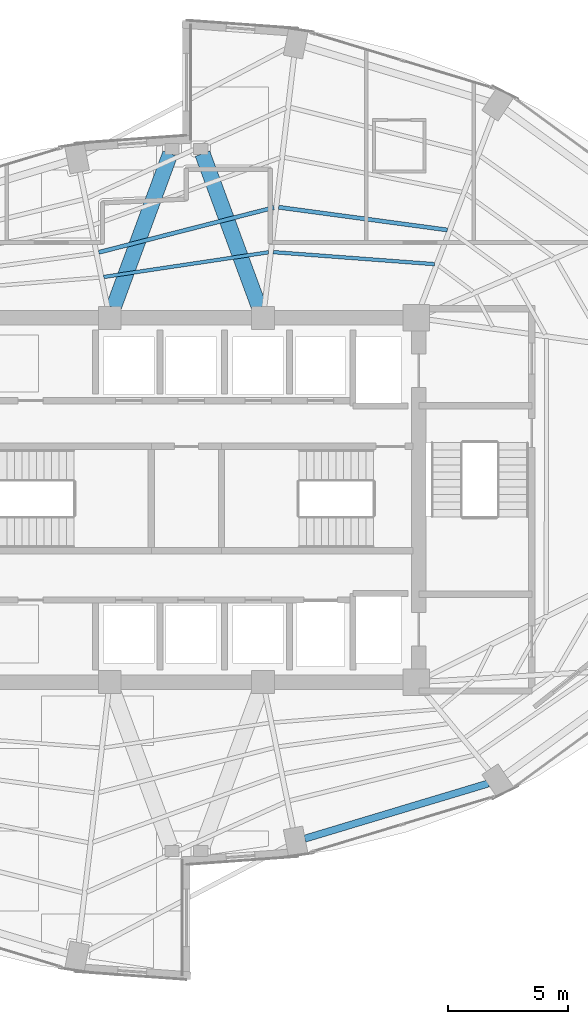
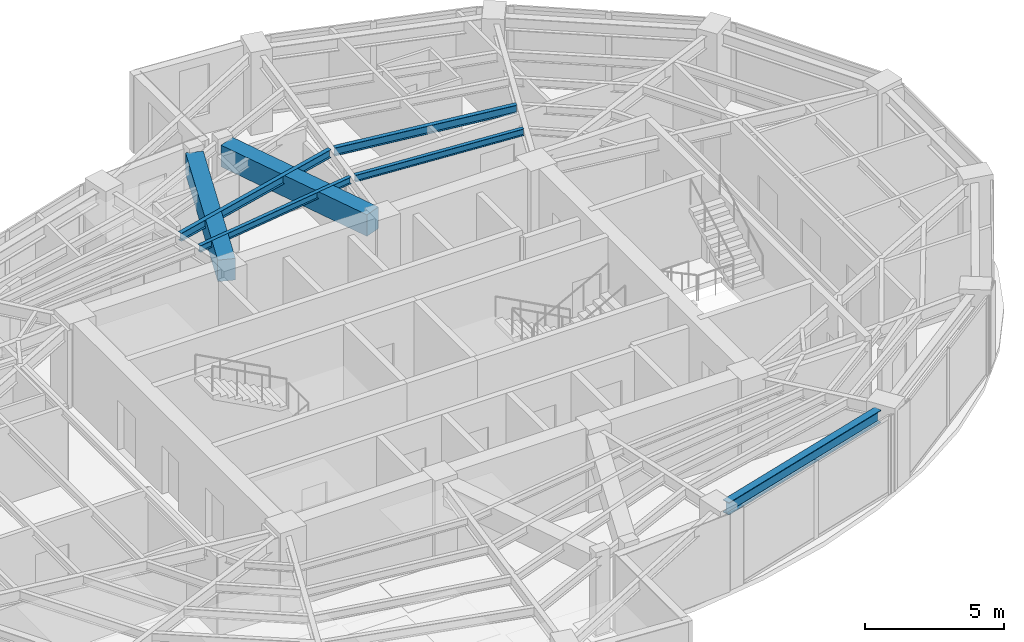
# One storey, part 8 of 20: 7 beams.
"""IFC4 building model written with IfcOpenShell, lengths in metres."""

from ifc_helpers import new_model, si_unit, direction, frame, origin, origin_2d, place, context, subcontext, project, spatial, rectangle, i_section, extrude, material, material_profile, profile_set, type_object, element, save


model = new_model("IFC4")

# Units and contexts
model_context = context("Model", 3, precision=1e-05, world=origin(), true_north=direction((0.0, 1.0)))
body_context = subcontext(model_context, "Body", "Model", "MODEL_VIEW")
ifc_project = project(units=[si_unit("LENGTHUNIT", "METRE"), si_unit("AREAUNIT", "SQUARE_METRE"), si_unit("VOLUMEUNIT", "CUBIC_METRE"), si_unit("PLANEANGLEUNIT", "RADIAN"), si_unit("MASSUNIT", "GRAM", prefix="KILO")], contexts=[model_context])

# Site, building, storey
site_placement = place(None, origin())
site = spatial("IfcSite", under=ifc_project, at=site_placement, CompositionType="ELEMENT")
building_placement = place(site_placement, origin())
building = spatial("IfcBuilding", under=site, at=building_placement, Name="Lazwardi Medical Tower", CompositionType="ELEMENT")
storey_placement = place(building_placement, frame((0.0, 0.0, 145.583984375)))
storey = spatial("IfcBuildingStorey", under=building, at=storey_placement, Name="L37", CompositionType="ELEMENT", Elevation=145.583984375)

# Beams
ifc_material_1 = material(Name="Concrete C60/75", Category="concrete")
ifc_material_profile_1 = material_profile(ifc_material_1, rectangle(XDim=0.64990234375, YDim=0.949951171875, at=origin_2d()), Name="RC 650x950")
ifc_profile_set_1 = profile_set([ifc_material_profile_1], Name="Concrete C60/75")
beam_type_1 = type_object("IfcBeamType", Name="BM-CB-RC2", PredefinedType="LINTEL", material=ifc_profile_set_1)
for number, where, z_axis, x_axis, name in (
    (1, (32.959228515625, 36.031494140625, 2.953125), (0.34601281054, 0.938229787921, 0.0), (-0.938229787921, 0.34601281054, 0.0), "Core coupling lintel CB-02 PL1 L37"),
    (2, (39.040771484375, 36.031494140625, 2.953125), (-0.34601281054, 0.938229787921, 0.0), (-0.938229787921, -0.34601281054, 0.0), "Core coupling lintel CB-02 PL2 L37"),
):
    element("IfcBeam", number, at=place(storey_placement, frame(where, z_axis=z_axis, x_axis=x_axis)), inside=storey, type_object=beam_type_1, Name=name, PredefinedType="LINTEL", context=body_context, shape_type="SweptSolid", body=[
        extrude(rectangle(XDim=0.64990234375, YDim=0.949951171875, at=origin_2d()), origin(), (0.0, 0.0, 1.0), 6.84423828125),
    ])
ifc_material_2 = material(Name="Steel S355", Category="steel")
ifc_material_profile_2 = material_profile(ifc_material_2, i_section(OverallWidth=0.300048828125, OverallDepth=0.550048828125, WebThickness=0.014892578125, FlangeThickness=0.029052734375, at=origin_2d()), Name="HEB 550")
ifc_profile_set_2 = profile_set([ifc_material_profile_2], Name="Steel S355")
beam_type_2 = type_object("IfcBeamType", Name="BM-RB-Z3", PredefinedType="BEAM", material=ifc_profile_set_2)
beam_1_placement = place(storey_placement, frame((40.943115234375, 13.866455078125, 3.153076171875), z_axis=(0.957616873483, 0.288045002771, 0.0), x_axis=(-0.288045002771, 0.957616873483, 0.0)))
element("IfcBeam", 3, at=beam_1_placement, inside=storey, type_object=beam_type_2, Name="Ring beam RB-04 B01 L37", PredefinedType="BEAM", context=body_context, shape_type="SweptSolid", body=[
    extrude(i_section(OverallWidth=0.300048828125, OverallDepth=0.550048828125, WebThickness=0.014892578125, FlangeThickness=0.029052734375, at=origin_2d()), origin(), (0.0, 0.0, 1.0), 7.99951171875),
])
ifc_material_profile_3 = material_profile(ifc_material_2, i_section(OverallWidth=0.169921875, OverallDepth=0.360107421875, WebThickness=0.008056640625, FlangeThickness=0.0126953125, at=origin_2d()), Name="IPE 360")
ifc_profile_set_3 = profile_set([ifc_material_profile_3], Name="Steel S355")
beam_type_3 = type_object("IfcBeamType", Name="BM-SJ-02", PredefinedType="JOIST", material=ifc_profile_set_3)
beam_2_placement = place(storey_placement, frame((46.889892578125, 39.269775390625, 3.248046875), z_axis=(-0.991056291961, 0.133444468468, 0.0), x_axis=(-0.133444468468, -0.991056291961, 0.0)))
element("IfcBeam", 4, at=beam_2_placement, inside=storey, type_object=beam_type_3, Name="Secondary joist SJ-02 R3 B07 L37", PredefinedType="JOIST", context=body_context, shape_type="SweptSolid", body=[
    extrude(i_section(OverallWidth=0.169921875, OverallDepth=0.360107421875, WebThickness=0.008056640625, FlangeThickness=0.0126953125, at=origin_2d()), origin(), (0.0, 0.0, 1.0), 7.10400390625),
])
beam_3_placement = place(storey_placement, frame((39.6533203125, 40.206298828125, 3.248046875), z_axis=(-0.96877632572, -0.247936344097, 0.0), x_axis=(0.247936344097, -0.96877632572, 0.0)))
element("IfcBeam", 5, at=beam_3_placement, inside=storey, type_object=beam_type_3, Name="Secondary joist SJ-02 R3 B08 L37", PredefinedType="JOIST", context=body_context, shape_type="SweptSolid", body=[
    extrude(i_section(OverallWidth=0.169921875, OverallDepth=0.360107421875, WebThickness=0.008056640625, FlangeThickness=0.0126953125, at=origin_2d()), origin(), (0.0, 0.0, 1.0), 7.546630859375),
])
ifc_material_profile_4 = material_profile(ifc_material_2, i_section(OverallWidth=0.14990234375, OverallDepth=0.300048828125, WebThickness=0.007080078125, FlangeThickness=0.0107421875, at=origin_2d()), Name="IPE 300")
ifc_profile_set_4 = profile_set([ifc_material_profile_4], Name="Steel S355")
beam_type_4 = type_object("IfcBeamType", Name="BM-SJ-03", PredefinedType="JOIST", material=ifc_profile_set_4)
beam_4_placement = place(storey_placement, frame((46.349609375, 37.843505859375, 3.278076171875), z_axis=(-0.99722699261, 0.074419924822, 0.0), x_axis=(-0.074419924822, -0.99722699261, 0.0)))
element("IfcBeam", 6, at=beam_4_placement, inside=storey, type_object=beam_type_4, Name="Secondary joist SJ-03 R4 B07 L37", PredefinedType="JOIST", context=body_context, shape_type="SweptSolid", body=[
    extrude(i_section(OverallWidth=0.14990234375, OverallDepth=0.300048828125, WebThickness=0.007080078125, FlangeThickness=0.0107421875, at=origin_2d()), origin(), (0.0, 0.0, 1.0), 6.74169921875),
])
beam_5_placement = place(storey_placement, frame((39.42822265625, 38.337890625, 3.278076171875), z_axis=(-0.98897469849, -0.148084589835, 0.0), x_axis=(0.148084589835, -0.98897469849, 0.0)))
element("IfcBeam", 7, at=beam_5_placement, inside=storey, type_object=beam_type_4, Name="Secondary joist SJ-03 R4 B08 L37", PredefinedType="JOIST", context=body_context, shape_type="SweptSolid", body=[
    extrude(i_section(OverallWidth=0.14990234375, OverallDepth=0.300048828125, WebThickness=0.007080078125, FlangeThickness=0.0107421875, at=origin_2d()), origin(), (0.0, 0.0, 1.0), 6.952392578125),
])

save(model, "model.ifc")
